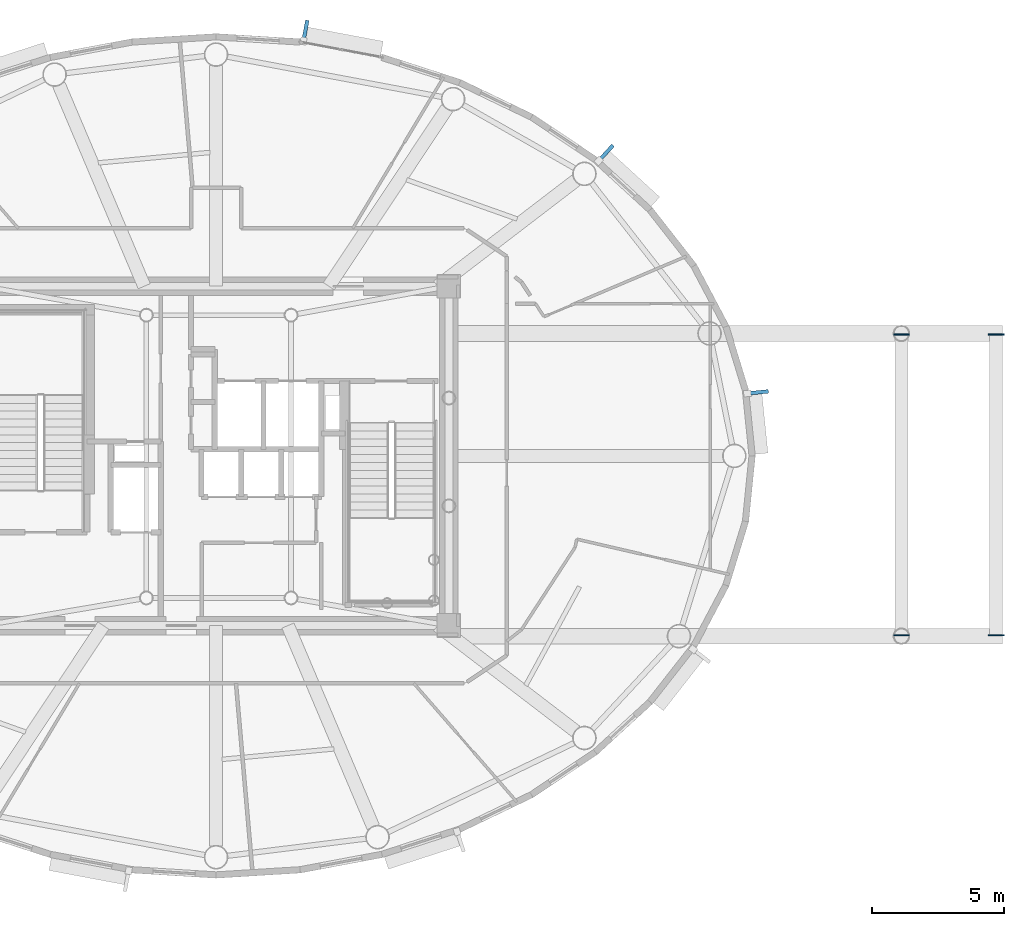
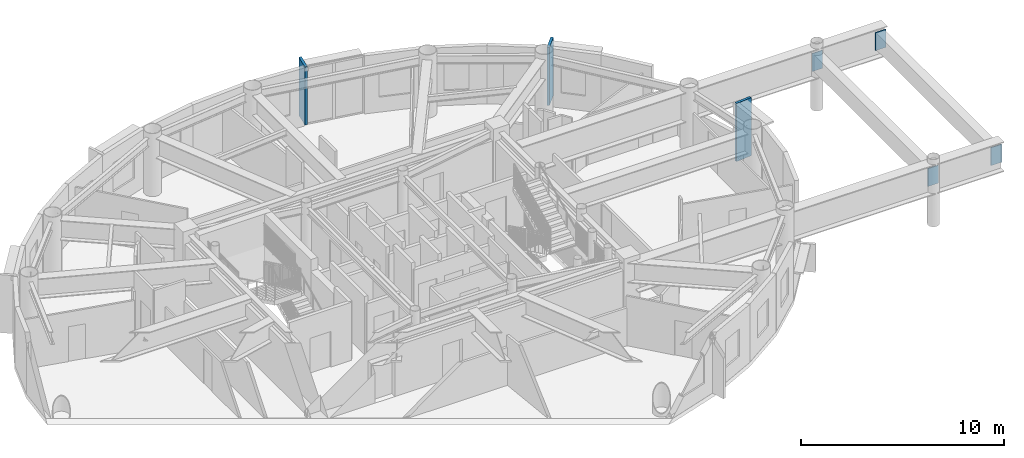
# One storey, part 5 of 16: 7 plates.
"""IFC4 building model written with IfcOpenShell, lengths in metres."""

from ifc_helpers import new_model, si_unit, direction, frame, origin, origin_2d, place, context, subcontext, project, spatial, rectangle, extrude, source, transform, mapped, material, layer, layer_set, type_object, element, save


model = new_model("IFC4")

# Units and contexts
model_context = context("Model", 3, precision=1e-05, world=origin(), true_north=direction((0.0, 1.0)))
body_context = subcontext(model_context, "Body", "Model", "MODEL_VIEW")
ifc_project = project(units=[si_unit("LENGTHUNIT", "METRE"), si_unit("AREAUNIT", "SQUARE_METRE"), si_unit("VOLUMEUNIT", "CUBIC_METRE"), si_unit("PLANEANGLEUNIT", "RADIAN"), si_unit("MASSUNIT", "GRAM", prefix="KILO")], contexts=[model_context])

# Site, building, storey
site_placement = place(None, origin())
site = spatial("IfcSite", under=ifc_project, at=site_placement, CompositionType="ELEMENT")
building_placement = place(site_placement, origin())
building = spatial("IfcBuilding", under=site, at=building_placement, Name="Linh Dai School and Residence Tower", CompositionType="ELEMENT")
storey_placement = place(building_placement, frame((0.0, 0.0, 343.0)))
storey = spatial("IfcBuildingStorey", under=building, at=storey_placement, Name="L85", CompositionType="ELEMENT", Elevation=343.0)

# Plates
ifc_material_1 = material(Name="Structural Steel S355JR", Category="steel")
ifc_layer_1 = layer(ifc_material_1, 0.0400390625)
ifc_layer_set_1 = layer_set([ifc_layer_1], Name="Structural Steel S355JR")
plate_type_1 = type_object("IfcPlateType", Name="PLT-GP1", PredefinedType="USERDEFINED", material=ifc_layer_set_1)
shared_shape_1 = source(origin(), body_context, "Body", "SweptSolid", [
    extrude(rectangle(XDim=0.60009765625, YDim=0.0400390625, at=origin_2d()), origin(), (0.0, 0.0, 1.0), 1.080078125),
])
for number, where, z_axis, x_axis, name in (
    (1, (62.050048828125, 20.1875, 2.06005859375), (0.0, 0.0, 1.0), (1.0, 0.0, 0.0), "L85 Sky-Lounge Transverse Girder End Plate MID-S"),
    (2, (62.050048828125, 31.61474609375, 2.06005859375), (0.0, 0.0, 1.0), (1.0, 0.0, 0.0), "L85 Sky-Lounge Transverse Girder End Plate MID-N"),
    (3, (65.64990234375, 20.1875, 2.06005859375), (0.0, 0.0, 1.0), (1.0, 0.0, 0.0), "L85 Sky-Lounge Transverse Girder End Plate TIP-S"),
    (4, (65.64990234375, 31.61474609375, 2.06005859375), (0.0, 0.0, 1.0), (1.0, 0.0, 0.0), "L85 Sky-Lounge Transverse Girder End Plate TIP-N"),
):
    element("IfcPlate", number, at=place(storey_placement, frame(where, z_axis=z_axis, x_axis=x_axis)), inside=storey, type_object=plate_type_1, Name=name, ObjectType="GUSSET PLATE", PredefinedType="USERDEFINED", context=body_context, shape_type="MappedRepresentation", body=[
        mapped(shared_shape_1, transform((0.0, 0.0, 0.0), x_axis=(1.0, 0.0, 0.0), y_axis=(0.0, 1.0, 0.0), z_axis=(0.0, 0.0, 1.0), scale=1.0)),
    ])
ifc_material_2 = material(Name="Precast Concrete B45 (C35/45)", Category="concrete")
ifc_layer_2 = layer(ifc_material_2, 0.139892578125)
ifc_layer_set_2 = layer_set([ifc_layer_2], Name="Precast Concrete B45 (C35/45)")
plate_type_2 = type_object("IfcPlateType", Name="FIN-TC-900x140", PredefinedType="USERDEFINED", material=ifc_layer_set_2)
shared_shape_2 = source(origin(), body_context, "Body", "SweptSolid", [
    extrude(rectangle(XDim=0.89990234375, YDim=0.139892578125, at=origin_2d()), origin(), (0.0, 0.0, 1.0), 3.5),
])
for number, where, z_axis, x_axis, name in (
    (5, (56.544921875, 29.408447265625, 0.0), (0.0, 0.0, 1.0), (0.994988264886, 0.099991763355, 0.0), "L85 Precast Terracotta Radial Fin 01"),
    (6, (50.7841796875, 38.475341796875, 0.0), (0.0, 0.0, 1.0), (0.675840935412, 0.73704750866, 0.0), "L85 Precast Terracotta Radial Fin 05"),
    (7, (39.38525390625, 43.114013671875, 0.0), (0.0, 0.0, 1.0), (0.184784564405, 0.982779051851, 0.0), "L85 Precast Terracotta Radial Fin 09"),
):
    element("IfcPlate", number, at=place(storey_placement, frame(where, z_axis=z_axis, x_axis=x_axis)), inside=storey, type_object=plate_type_2, Name=name, ObjectType="RADIAL FIN", PredefinedType="USERDEFINED", context=body_context, shape_type="MappedRepresentation", body=[
        mapped(shared_shape_2, transform((0.0, 0.0, 0.0), x_axis=(1.0, 0.0, 0.0), y_axis=(0.0, 1.0, 0.0), z_axis=(0.0, 0.0, 1.0), scale=1.0)),
    ])

save(model, "model.ifc")
